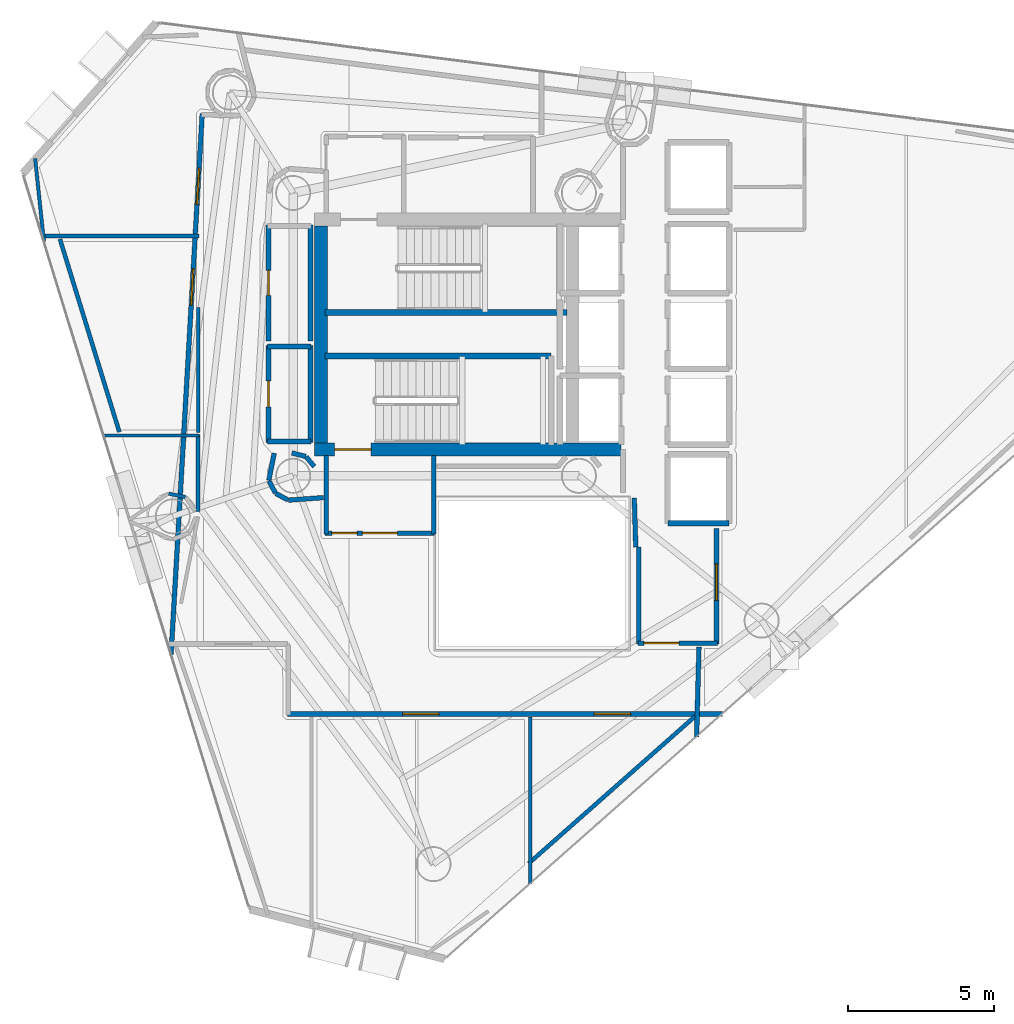
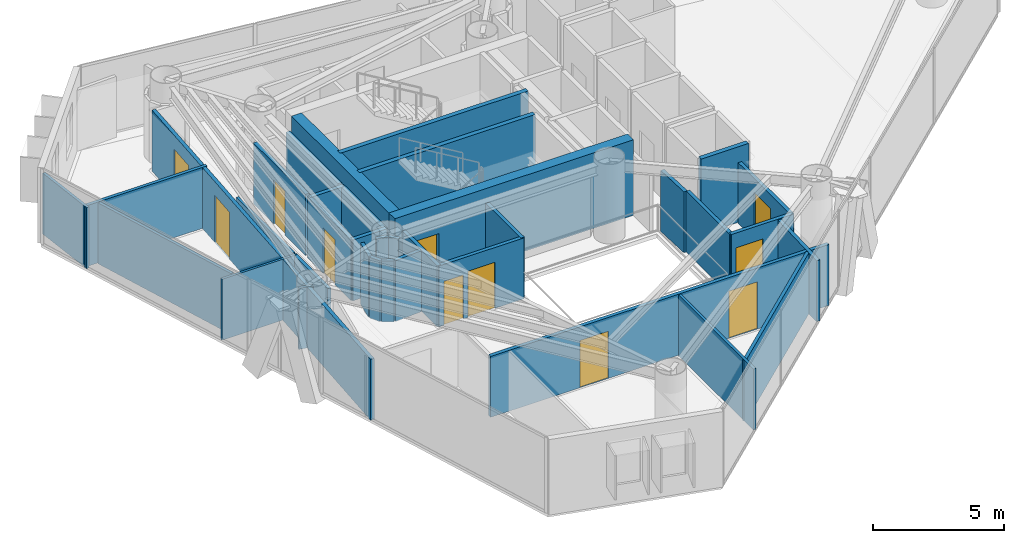
# One storey, part 18 of 23: 36 walls, 11 doors, 11 openings.
"""IFC4 building model written with IfcOpenShell, lengths in metres."""

from ifc_helpers import new_model, si_unit, direction, frame, frame_2d, origin, place, context, subcontext, project, spatial, rectangle, extrude, material, layer, layer_set, type_object, element, fill, save


model = new_model("IFC4")

# Units and contexts
model_context = context("Model", 3, precision=1e-05, world=origin(), true_north=direction((0.0, 1.0)))
body_context = subcontext(model_context, "Body", "Model", "MODEL_VIEW")
ifc_project = project(units=[si_unit("LENGTHUNIT", "METRE"), si_unit("AREAUNIT", "SQUARE_METRE"), si_unit("VOLUMEUNIT", "CUBIC_METRE"), si_unit("PLANEANGLEUNIT", "RADIAN"), si_unit("MASSUNIT", "GRAM", prefix="KILO")], contexts=[model_context])

# Site, building, storey
site_placement = place(None, origin())
site = spatial("IfcSite", under=ifc_project, at=site_placement, CompositionType="ELEMENT")
building_placement = place(site_placement, origin())
building = spatial("IfcBuilding", under=site, at=building_placement, Name="Qianvela Tower", CompositionType="ELEMENT")
storey_placement = place(building_placement, frame((0.0, 0.0, 218.800048828125)))
storey = spatial("IfcBuildingStorey", under=building, at=storey_placement, Name="L56", CompositionType="ELEMENT", Elevation=218.800048828125)

# Wall, opening, door
ifc_material_1 = material(Name="Concrete C50", Category="concrete")
ifc_layer_1 = layer(ifc_material_1, 0.449951171875)
ifc_layer_set_1 = layer_set([ifc_layer_1], Name="Concrete C50")
wall_type_1 = type_object("IfcWallType", Name="WT-CORE-450", PredefinedType="SHEAR", material=ifc_layer_set_1)
wall_1_placement = place(storey_placement, frame((29.330078125, 24.7548828125, 0.0), z_axis=(0.0, 0.0, 1.0), x_axis=(1.0, 0.0, 0.0)))
wall_1 = element("IfcWall", 1, at=wall_1_placement, inside=storey, type_object=wall_type_1, Name="L56 South Core Shear Wall", PredefinedType="SHEAR", context=body_context, shape_type="SweptSolid", body=[
    extrude(rectangle(XDim=10.52001953125, YDim=0.449951171875, at=frame_2d((5.260009765625, 0.0))), origin(), (0.0, 0.0, 1.0), 3.52001953125),
])
opening_1_placement = place(wall_1_placement, frame((0.695068359375, 0.0, 0.0)))
opening_1 = element("IfcOpeningElement", 2, at=opening_1_placement, cuts=wall_1, Name="Opening D-ST1", PredefinedType="OPENING", context=body_context, shape_type="SweptSolid", body=[
    extrude(rectangle(XDim=1.25, YDim=2.14990234375, at=frame_2d((0.625, 1.074951171875))), frame((0.0, 0.23486328125, 0.0), z_axis=(0.0, -1.0, 0.0), x_axis=(1.0, 0.0, 0.0)), (0.0, 0.0, 1.0), 0.469970703125),
])
ifc_material_2 = material(Name="Galvanised Fire Steel Q355B", Category="steel")
door_type_1 = type_object("IfcDoorType", Name="DT-STAIR-FD90", OperationType="NOTDEFINED", PredefinedType="DOOR", material=ifc_material_2)
door_1_placement = place(opening_1_placement, origin())
door_1 = element("IfcDoor", 3, at=door_1_placement, inside=storey, type_object=door_type_1, Name="L56 Stair ST-2 Exit Door", OperationType="SINGLE_SWING_RIGHT", OverallHeight=2.14990234375, OverallWidth=1.25, PredefinedType="DOOR", context=body_context, shape_type="SweptSolid", body=[
    extrude(rectangle(XDim=1.25, YDim=2.14990234375, at=frame_2d((0.625, 1.074951171875))), frame((0.0, 0.02490234375, 0.0), z_axis=(0.0, -1.0, 0.0), x_axis=(1.0, 0.0, 0.0)), (0.0, 0.0, 1.0), 0.050048828125),
])
fill(opening_1, door_1)

# Wall
wall_2_placement = place(storey_placement, frame((29.554931640625, 24.97998046875, 0.0), z_axis=(0.0, 0.0, 1.0), x_axis=(0.0, 1.0, 0.0)))
element("IfcWall", 4, at=wall_2_placement, inside=storey, type_object=wall_type_1, Name="L56 West Core Shear Wall", PredefinedType="SHEAR", context=body_context, shape_type="SweptSolid", body=[
    extrude(rectangle(XDim=7.43994140625, YDim=0.449951171875, at=frame_2d((3.719970703125, 0.0))), origin(), (0.0, 0.0, 1.0), 3.52001953125),
])

# Wall, openings, doors
ifc_material_3 = material(Name="Fire-Rated Gypsum and Concrete Block", Category="concrete")
ifc_layer_2 = layer(ifc_material_3, 0.159912109375)
ifc_layer_set_2 = layer_set([ifc_layer_2], Name="Fire-Rated Gypsum and Concrete Block")
wall_type_2 = type_object("IfcWallType", Name="WT-CORR-160", PredefinedType="PARTITIONING", material=ifc_layer_set_2)
wall_3_placement = place(storey_placement, frame((33.449951171875, 21.881103515625, 0.0), z_axis=(0.0, 0.0, 1.0), x_axis=(-1.0, 0.0, 0.0)))
wall_3 = element("IfcWall", 5, at=wall_3_placement, inside=storey, type_object=wall_type_2, Name="L56 Partition 5", PredefinedType="PARTITIONING", context=body_context, shape_type="SweptSolid", body=[
    extrude(rectangle(XDim=3.75, YDim=0.159912109375, at=frame_2d((1.875, 0.0))), origin(), (0.0, 0.0, 1.0), 2.83984375),
])
opening_2_placement = place(wall_3_placement, frame((1.27490234375, 0.0, 0.0)))
opening_2 = element("IfcOpeningElement", 6, at=opening_2_placement, cuts=wall_3, Name="Opening D-LB1", PredefinedType="OPENING", context=body_context, shape_type="SweptSolid", body=[
    extrude(rectangle(XDim=1.199951171875, YDim=2.14990234375, at=frame_2d((0.60009765625, 1.074951171875))), frame((0.0, 0.08984375, 0.0), z_axis=(0.0, -1.0, 0.0), x_axis=(1.0, 0.0, 0.0)), (0.0, 0.0, 1.0), 0.179931640625),
])
opening_3_placement = place(wall_3_placement, frame((2.659912109375, 0.0, 0.0)))
opening_3 = element("IfcOpeningElement", 7, at=opening_3_placement, cuts=wall_3, Name="Opening D-LB2", PredefinedType="OPENING", context=body_context, shape_type="SweptSolid", body=[
    extrude(rectangle(XDim=0.860107421875, YDim=2.050048828125, at=frame_2d((0.43017578125, 1.02490234375))), frame((0.0, 0.08984375, 0.0), z_axis=(0.0, -1.0, 0.0), x_axis=(1.0, 0.0, 0.0)), (0.0, 0.0, 1.0), 0.179931640625),
])
ifc_material_4 = material(Name="Glazed Fire-Rated Steel Frame", Category="steel")
door_type_2 = type_object("IfcDoorType", Name="DT-LOBBY-FD90", OperationType="NOTDEFINED", PredefinedType="DOOR", material=ifc_material_4)
door_2_placement = place(opening_2_placement, origin())
door_2 = element("IfcDoor", 8, at=door_2_placement, inside=storey, type_object=door_type_2, Name="L56 Door L56 Firefighting Lobby South to L56 Floor Corridor", OperationType="SINGLE_SWING_LEFT", OverallHeight=2.14990234375, OverallWidth=1.199951171875, PredefinedType="DOOR", context=body_context, shape_type="SweptSolid", body=[
    extrude(rectangle(XDim=1.199951171875, YDim=2.14990234375, at=frame_2d((0.60009765625, 1.074951171875))), frame((0.0, 0.02490234375, 0.0), z_axis=(0.0, -1.0, 0.0), x_axis=(1.0, 0.0, 0.0)), (0.0, 0.0, 1.0), 0.050048828125),
])
fill(opening_2, door_2)
ifc_material_5 = material(Name="Insulated Steel Fire Door Q355B", Category="steel")
door_type_3 = type_object("IfcDoorType", Name="DT-LOBBY-FD90-860", OperationType="NOTDEFINED", PredefinedType="DOOR", material=ifc_material_5)
door_3_placement = place(opening_3_placement, origin())
door_3 = element("IfcDoor", 9, at=door_3_placement, inside=storey, type_object=door_type_3, Name="L56 Door L56 Firefighting Lobby South to L56 Floor Corridor", OperationType="SINGLE_SWING_RIGHT", OverallHeight=2.050048828125, OverallWidth=0.860107421875, PredefinedType="DOOR", context=body_context, shape_type="SweptSolid", body=[
    extrude(rectangle(XDim=0.860107421875, YDim=2.050048828125, at=frame_2d((0.43017578125, 1.02490234375))), frame((0.0, 0.02490234375, 0.0), z_axis=(0.0, -1.0, 0.0), x_axis=(1.0, 0.0, 0.0)), (0.0, 0.0, 1.0), 0.050048828125),
])
fill(opening_3, door_3)

# Walls
for number, where, z_axis, x_axis, name in (
    (10, (29.73095703125, 21.85009765625, 0.0), (0.0, 0.0, 1.0), (0.0, 1.0, 0.0), "L56 Partition 6"),
    (11, (33.4189453125, 24.5419921875, 0.0), (0.0, 0.0, 1.0), (0.0, -1.0, 0.0), "L56 Partition 8"),
):
    element("IfcWall", number, at=place(storey_placement, frame(where, z_axis=z_axis, x_axis=x_axis)), inside=storey, type_object=wall_type_2, Name=name, PredefinedType="PARTITIONING", context=body_context, shape_type="SweptSolid", body=[
        extrude(rectangle(XDim=2.69189453125, YDim=0.159912109375, at=frame_2d((1.345947265625, 0.0))), origin(), (0.0, 0.0, 1.0), 2.83984375),
    ])
wall_4_placement = place(storey_placement, frame((40.35107421875, 21.40087890625, 0.0), z_axis=(0.0, 0.0, 1.0), x_axis=(-0.031058045979, 0.999517582527, 0.0)))
element("IfcWall", 12, at=wall_4_placement, inside=storey, type_object=wall_type_2, Name="L56 Partition 9", PredefinedType="PARTITIONING", context=body_context, shape_type="SweptSolid", body=[
    extrude(rectangle(XDim=1.68212890625, YDim=0.159912109375, at=frame_2d((0.841064453125, 0.0))), origin(), (0.0, 0.0, 1.0), 2.83984375),
])

# Wall, opening, door
wall_5_placement = place(storey_placement, frame((43.118896484375, 22.050048828125, 0.0), z_axis=(0.0, 0.0, 1.0), x_axis=(0.0, -1.0, 0.0)))
wall_5 = element("IfcWall", 13, at=wall_5_placement, inside=storey, type_object=wall_type_2, Name="L56 Partition 17", PredefinedType="PARTITIONING", context=body_context, shape_type="SweptSolid", body=[
    extrude(rectangle(XDim=3.969970703125, YDim=0.159912109375, at=frame_2d((1.98486328125, 0.0))), origin(), (0.0, 0.0, 1.0), 2.83984375),
])
opening_4_placement = place(wall_5_placement, frame((1.219970703125, 0.0, 0.0)))
opening_4 = element("IfcOpeningElement", 14, at=opening_4_placement, cuts=wall_5, Name="Opening D-LG1", PredefinedType="OPENING", context=body_context, shape_type="SweptSolid", body=[
    extrude(rectangle(XDim=1.25, YDim=2.199951171875, at=frame_2d((0.625, 1.10009765625))), frame((0.0, 0.08984375, 0.0), z_axis=(0.0, -1.0, 0.0), x_axis=(1.0, 0.0, 0.0)), (0.0, 0.0, 1.0), 0.179931640625),
])
ifc_material_6 = material(Name="Anodised Aluminium Acoustic Glass Door", Category="aluminium")
door_type_4 = type_object("IfcDoorType", Name="DT-LOUNGE-1250", OperationType="NOTDEFINED", PredefinedType="DOOR", material=ifc_material_6)
door_4_placement = place(opening_4_placement, origin())
door_4 = element("IfcDoor", 15, at=door_4_placement, inside=storey, type_object=door_type_4, Name="L56 Door Quiet Desk Workspace L56-03 to L56 Lift Lobby", OperationType="SINGLE_SWING_LEFT", OverallHeight=2.199951171875, OverallWidth=1.25, PredefinedType="DOOR", context=body_context, shape_type="SweptSolid", body=[
    extrude(rectangle(XDim=1.25, YDim=2.199951171875, at=frame_2d((0.625, 1.10009765625))), frame((0.0, 0.02490234375, 0.0), z_axis=(0.0, -1.0, 0.0), x_axis=(1.0, 0.0, 0.0)), (0.0, 0.0, 1.0), 0.050048828125),
])
fill(opening_4, door_4)

wall_6_placement = place(storey_placement, frame((43.14990234375, 18.111083984375, 0.0), z_axis=(0.0, 0.0, 1.0), x_axis=(-1.0, 0.0, 0.0)))
wall_6 = element("IfcWall", 16, at=wall_6_placement, inside=storey, type_object=wall_type_2, Name="L56 Partition 18", PredefinedType="PARTITIONING", context=body_context, shape_type="SweptSolid", body=[
    extrude(rectangle(XDim=2.72998046875, YDim=0.159912109375, at=frame_2d((1.364990234375, 0.0))), origin(), (0.0, 0.0, 1.0), 2.83984375),
])
opening_5_placement = place(wall_6_placement, frame((1.324951171875, 0.0, 0.0)))
opening_5 = element("IfcOpeningElement", 17, at=opening_5_placement, cuts=wall_6, Name="Opening D-LB1", PredefinedType="OPENING", context=body_context, shape_type="SweptSolid", body=[
    extrude(rectangle(XDim=1.199951171875, YDim=2.14990234375, at=frame_2d((0.60009765625, 1.074951171875))), frame((0.0, 0.08984375, 0.0), z_axis=(0.0, -1.0, 0.0), x_axis=(1.0, 0.0, 0.0)), (0.0, 0.0, 1.0), 0.179931640625),
])
door_5_placement = place(opening_5_placement, origin())
door_5 = element("IfcDoor", 18, at=door_5_placement, inside=storey, type_object=door_type_2, Name="L56 Door L56 Lift Lobby to L56 Floor Corridor", OperationType="SINGLE_SWING_RIGHT", OverallHeight=2.14990234375, OverallWidth=1.199951171875, PredefinedType="DOOR", context=body_context, shape_type="SweptSolid", body=[
    extrude(rectangle(XDim=1.199951171875, YDim=2.14990234375, at=frame_2d((0.60009765625, 1.074951171875))), frame((0.0, 0.02490234375, 0.0), z_axis=(0.0, -1.0, 0.0), x_axis=(1.0, 0.0, 0.0)), (0.0, 0.0, 1.0), 0.050048828125),
])
fill(opening_5, door_5)

# Walls
wall_7_placement = place(storey_placement, frame((40.450927734375, 18.080078125, 0.0), z_axis=(0.0, 0.0, 1.0), x_axis=(0.0, 1.0, 0.0)))
element("IfcWall", 19, at=wall_7_placement, inside=storey, type_object=wall_type_2, Name="L56 Partition 19 seg 1", PredefinedType="PARTITIONING", context=body_context, shape_type="SweptSolid", body=[
    extrude(rectangle(XDim=3.31982421875, YDim=0.159912109375, at=frame_2d((1.659912109375, 0.0))), origin(), (0.0, 0.0, 1.0), 2.83984375),
])
wall_8_placement = place(storey_placement, frame((29.321044921875, 24.169921875, 0.0), z_axis=(0.0, 0.0, 1.0), x_axis=(-0.638008265708, 0.770029514296, 0.0)))
element("IfcWall", 20, at=wall_8_placement, inside=storey, type_object=wall_type_2, Name="L56 Partition 36", PredefinedType="PARTITIONING", context=body_context, shape_type="SweptSolid", body=[
    extrude(rectangle(XDim=0.430908203125, YDim=0.159912109375, at=frame_2d((0.21533203125, 0.0))), origin(), (0.0, 0.0, 1.0), 2.83984375),
])
wall_9_placement = place(storey_placement, frame((29.030029296875, 24.511962890625, 0.0), z_axis=(0.0, 0.0, 1.0), x_axis=(-0.967681003213, 0.252177469296, 0.0)))
element("IfcWall", 21, at=wall_9_placement, inside=storey, type_object=wall_type_2, Name="L56 Partition 37", PredefinedType="PARTITIONING", context=body_context, shape_type="SweptSolid", body=[
    extrude(rectangle(XDim=0.488037109375, YDim=0.159912109375, at=frame_2d((0.244140625, 0.0))), origin(), (0.0, 0.0, 1.0), 2.83984375),
])
wall_10_placement = place(storey_placement, frame((27.950439453125, 24.626220703125, 0.0), z_axis=(0.0, 0.0, 1.0), x_axis=(-0.195125950178, -0.980778192848, 0.0)))
element("IfcWall", 22, at=wall_10_placement, inside=storey, type_object=wall_type_2, Name="L56 Partition 61", PredefinedType="PARTITIONING", context=body_context, shape_type="SweptSolid", body=[
    extrude(rectangle(XDim=0.948486328125, YDim=0.159912109375, at=frame_2d((0.47412109375, 0.0))), origin(), (0.0, 0.0, 1.0), 2.83984375),
])
for number, where, z_axis, x_axis, name in (
    (23, (27.768310546875, 23.67529296875, 0.0), (0.0, 0.0, 1.0), (0.471865548338, -0.881670519123, 0.0), "L56 Partition 62"),
    (24, (28.005615234375, 23.242919921875, 0.0), (0.0, 0.0, 1.0), (0.881670519123, -0.471865548338, 0.0), "L56 Partition 63"),
):
    element("IfcWall", number, at=place(storey_placement, frame(where, z_axis=z_axis, x_axis=x_axis)), inside=storey, type_object=wall_type_2, Name=name, PredefinedType="PARTITIONING", context=body_context, shape_type="SweptSolid", body=[
        extrude(rectangle(XDim=0.47607421875, YDim=0.159912109375, at=frame_2d((0.238037109375, 0.0))), origin(), (0.0, 0.0, 1.0), 2.83984375),
    ])
wall_11_placement = place(storey_placement, frame((28.4423828125, 23.014892578125, 0.0), z_axis=(0.0, 0.0, 1.0), x_axis=(0.99740683837, 0.07196942943, 0.0)))
element("IfcWall", 25, at=wall_11_placement, inside=storey, type_object=wall_type_2, Name="L56 Partition 64", PredefinedType="PARTITIONING", context=body_context, shape_type="SweptSolid", body=[
    extrude(rectangle(XDim=1.200927734375, YDim=0.159912109375, at=frame_2d((0.6005859375, 0.0))), origin(), (0.0, 0.0, 1.0), 2.83984375),
])
wall_12_placement = place(storey_placement, frame((42.51904296875, 17.980712890625, 0.0), z_axis=(0.0, 0.0, 1.0), x_axis=(-0.026620353414, -0.999645615598, 0.0)))
element("IfcWall", 26, at=wall_12_placement, inside=storey, type_object=wall_type_2, Name="L56 Partition 68", PredefinedType="PARTITIONING", context=body_context, shape_type="SweptSolid", body=[
    extrude(rectangle(XDim=3.090576171875, YDim=0.159912109375, at=frame_2d((1.54541015625, 0.0))), origin(), (0.0, 0.0, 1.0), 2.83984375),
])

# Wall, openings, doors
wall_13_placement = place(storey_placement, frame((43.328125, 15.680908203125, 0.0), z_axis=(0.0, 0.0, 1.0), x_axis=(-1.0, 0.0, 0.0)))
wall_13 = element("IfcWall", 27, at=wall_13_placement, inside=storey, type_object=wall_type_2, Name="L56 Partition 69", PredefinedType="PARTITIONING", context=body_context, shape_type="SweptSolid", body=[
    extrude(rectangle(XDim=14.92822265625, YDim=0.159912109375, at=frame_2d((7.464111328125, 0.0))), origin(), (0.0, 0.0, 1.0), 2.83984375),
])
opening_6_placement = place(wall_13_placement, frame((3.15673828125, 0.0, 0.0)))
opening_6 = element("IfcOpeningElement", 28, at=opening_6_placement, cuts=wall_13, Name="Opening D-LG1", PredefinedType="OPENING", context=body_context, shape_type="SweptSolid", body=[
    extrude(rectangle(XDim=1.25, YDim=2.199951171875, at=frame_2d((0.625, 1.10009765625))), frame((0.0, 0.08984375, 0.0), z_axis=(0.0, -1.0, 0.0), x_axis=(1.0, 0.0, 0.0)), (0.0, 0.0, 1.0), 0.179931640625),
])
opening_7_placement = place(wall_13_placement, frame((9.7265625, 0.0, 0.0)))
opening_7 = element("IfcOpeningElement", 29, at=opening_7_placement, cuts=wall_13, Name="Opening D-LG1", PredefinedType="OPENING", context=body_context, shape_type="SweptSolid", body=[
    extrude(rectangle(XDim=1.25, YDim=2.199951171875, at=frame_2d((0.625, 1.10009765625))), frame((0.0, 0.08984375, 0.0), z_axis=(0.0, -1.0, 0.0), x_axis=(1.0, 0.0, 0.0)), (0.0, 0.0, 1.0), 0.179931640625),
])
door_6_placement = place(opening_6_placement, origin())
door_6 = element("IfcDoor", 30, at=door_6_placement, inside=storey, type_object=door_type_4, Name="L56 Door Collaborative Co-working Office L56-02 to L56 Floor Corridor", OperationType="SINGLE_SWING_RIGHT", OverallHeight=2.199951171875, OverallWidth=1.25, PredefinedType="DOOR", context=body_context, shape_type="SweptSolid", body=[
    extrude(rectangle(XDim=1.25, YDim=2.199951171875, at=frame_2d((0.625, 1.10009765625))), frame((0.0, 0.02490234375, 0.0), z_axis=(0.0, -1.0, 0.0), x_axis=(1.0, 0.0, 0.0)), (0.0, 0.0, 1.0), 0.050048828125),
])
fill(opening_6, door_6)
door_7_placement = place(opening_7_placement, origin())
door_7 = element("IfcDoor", 31, at=door_7_placement, inside=storey, type_object=door_type_4, Name="L56 Door Quiet Reading Study L56-07 to L56 Floor Corridor", OperationType="SINGLE_SWING_RIGHT", OverallHeight=2.199951171875, OverallWidth=1.25, PredefinedType="DOOR", context=body_context, shape_type="SweptSolid", body=[
    extrude(rectangle(XDim=1.25, YDim=2.199951171875, at=frame_2d((0.625, 1.10009765625))), frame((0.0, 0.02490234375, 0.0), z_axis=(0.0, -1.0, 0.0), x_axis=(1.0, 0.0, 0.0)), (0.0, 0.0, 1.0), 0.050048828125),
])
fill(opening_7, door_7)

wall_14_placement = place(storey_placement, frame((24.41259765625, 17.720947265625, 0.0), z_axis=(0.0, 0.0, 1.0), x_axis=(0.057505607696, 0.998345183333, 0.0)))
wall_14 = element("IfcWall", 32, at=wall_14_placement, inside=storey, type_object=wall_type_2, Name="L56 Partition 72", PredefinedType="PARTITIONING", context=body_context, shape_type="SweptSolid", body=[
    extrude(rectangle(XDim=18.578369140625, YDim=0.159912109375, at=frame_2d((9.2890625, 0.0))), origin(), (0.0, 0.0, 1.0), 2.83984375),
])
opening_8_placement = place(wall_14_placement, frame((15.4609375, 0.0, 0.0)))
opening_8 = element("IfcOpeningElement", 33, at=opening_8_placement, cuts=wall_14, Name="Opening D-LG1", PredefinedType="OPENING", context=body_context, shape_type="SweptSolid", body=[
    extrude(rectangle(XDim=1.25, YDim=2.199951171875, at=frame_2d((0.625, 1.10009765625))), frame((0.0, 0.08984375, 0.0), z_axis=(0.0, -1.0, 0.0), x_axis=(1.0, 0.0, 0.0)), (0.0, 0.0, 1.0), 0.179931640625),
])
opening_9_placement = place(wall_14_placement, frame((12.002197265625, 0.0, 0.0)))
opening_9 = element("IfcOpeningElement", 34, at=opening_9_placement, cuts=wall_14, Name="Opening D-LG1", PredefinedType="OPENING", context=body_context, shape_type="SweptSolid", body=[
    extrude(rectangle(XDim=1.25, YDim=2.199951171875, at=frame_2d((0.625, 1.10009765625))), frame((0.0, 0.08984375, 0.0), z_axis=(0.0, -1.0, 0.0), x_axis=(1.0, 0.0, 0.0)), (0.0, 0.0, 1.0), 0.179931640625),
])
door_8_placement = place(opening_8_placement, origin())
door_8 = element("IfcDoor", 35, at=door_8_placement, inside=storey, type_object=door_type_4, Name="L56 Door Digital Research Office L56-05 to L56 Floor Corridor", OperationType="SINGLE_SWING_RIGHT", OverallHeight=2.199951171875, OverallWidth=1.25, PredefinedType="DOOR", context=body_context, shape_type="SweptSolid", body=[
    extrude(rectangle(XDim=1.25, YDim=2.199951171875, at=frame_2d((0.625, 1.10009765625))), frame((0.0, 0.02490234375, 0.0), z_axis=(0.0, -1.0, 0.0), x_axis=(1.0, 0.0, 0.0)), (0.0, 0.0, 1.0), 0.050048828125),
])
fill(opening_8, door_8)
door_9_placement = place(opening_9_placement, origin())
door_9 = element("IfcDoor", 36, at=door_9_placement, inside=storey, type_object=door_type_4, Name="L56 Door Collaborative Co-working Office L56-06 to L56 Floor Corridor", OperationType="SINGLE_SWING_LEFT", OverallHeight=2.199951171875, OverallWidth=1.25, PredefinedType="DOOR", context=body_context, shape_type="SweptSolid", body=[
    extrude(rectangle(XDim=1.25, YDim=2.199951171875, at=frame_2d((0.625, 1.10009765625))), frame((0.0, 0.02490234375, 0.0), z_axis=(0.0, -1.0, 0.0), x_axis=(1.0, 0.0, 0.0)), (0.0, 0.0, 1.0), 0.050048828125),
])
fill(opening_9, door_9)

# Walls
ifc_material_7 = material(Name="Lightweight Gypsum Room Partition")
ifc_layer_3 = layer(ifc_material_7, 0.10498046875)
ifc_layer_set_3 = layer_set([ifc_layer_3], Name="Lightweight Gypsum Room Partition")
wall_type_3 = type_object("IfcWallType", Name="WT-PART-105", PredefinedType="PARTITIONING", material=ifc_layer_set_3)
wall_15_placement = place(storey_placement, frame((22.080322265625, 25.22705078125, 0.0), z_axis=(0.0, 0.0, 1.0), x_axis=(1.0, 0.0, 0.0)))
element("IfcWall", 37, at=wall_15_placement, inside=storey, type_object=wall_type_3, Name="L56 Partition 89", PredefinedType="PARTITIONING", context=body_context, shape_type="SweptSolid", body=[
    extrude(rectangle(XDim=3.289794921875, YDim=0.10498046875, at=frame_2d((1.64501953125, 0.0))), origin(), (0.0, 0.0, 1.0), 2.83984375),
])
ifc_material_8 = material(Name="Insulated Gypsum Stud Partition")
ifc_layer_4 = layer(ifc_material_8, 0.1201171875)
ifc_layer_set_4 = layer_set([ifc_layer_4], Name="Insulated Gypsum Stud Partition")
wall_type_4 = type_object("IfcWallType", Name="WT-PART-120", PredefinedType="PARTITIONING", material=ifc_layer_set_4)
wall_16_placement = place(storey_placement, frame((24.900390625, 23.122314453125, 0.0), z_axis=(0.0, 0.0, 1.0), x_axis=(-0.980773892286, 0.195147565217, 0.0)))
element("IfcWall", 38, at=wall_16_placement, inside=storey, type_object=wall_type_4, Name="L56 Partition 76", PredefinedType="PARTITIONING", context=body_context, shape_type="SweptSolid", body=[
    extrude(rectangle(XDim=0.581787109375, YDim=0.1201171875, at=frame_2d((0.291015625, 0.0))), origin(), (0.0, 0.0, 1.0), 2.83984375),
])
wall_17_placement = place(storey_placement, frame((36.72607421875, 9.84326171875, 0.0), z_axis=(0.0, 0.0, 1.0), x_axis=(0.0, 1.0, 0.0)))
element("IfcWall", 39, at=wall_17_placement, inside=storey, type_object=wall_type_4, Name="L56 Partition 91", PredefinedType="PARTITIONING", context=body_context, shape_type="SweptSolid", body=[
    extrude(rectangle(XDim=5.726806640625, YDim=0.1201171875, at=frame_2d((2.86328125, 0.0))), origin(), (0.0, 0.0, 1.0), 2.83984375),
])
wall_18_placement = place(storey_placement, frame((20.04833984375, 31.888916015625, 0.0), z_axis=(0.0, 0.0, 1.0), x_axis=(-0.104435651057, 0.994531645946, 0.0)))
element("IfcWall", 40, at=wall_18_placement, inside=storey, type_object=wall_type_4, Name="L56 Partition 139", PredefinedType="PARTITIONING", context=body_context, shape_type="SweptSolid", body=[
    extrude(rectangle(XDim=2.856689453125, YDim=0.1201171875, at=frame_2d((1.42822265625, 0.0))), origin(), (0.0, 0.0, 1.0), 2.83984375),
])
wall_19_placement = place(storey_placement, frame((25.339111328125, 29.630615234375, 0.0), z_axis=(0.0, 0.0, 1.0), x_axis=(0.0, -1.0, 0.0)))
element("IfcWall", 41, at=wall_19_placement, inside=storey, type_object=wall_type_4, Name="L56 Partition 142 seg 1", PredefinedType="PARTITIONING", context=body_context, shape_type="SweptSolid", body=[
    extrude(rectangle(XDim=4.28857421875, YDim=0.1201171875, at=frame_2d((2.144287109375, 0.0))), origin(), (0.0, 0.0, 1.0), 2.83984375),
])

# Wall, opening, door
ifc_material_9 = material(Name="Moisture-Resistant Acoustic Plumbing Wall")
ifc_layer_5 = layer(ifc_material_9, 0.175048828125)
ifc_layer_set_5 = layer_set([ifc_layer_5], Name="Moisture-Resistant Acoustic Plumbing Wall")
wall_type_5 = type_object("IfcWallType", Name="WT-PLUMB-175", PredefinedType="PLUMBINGWALL", material=ifc_layer_set_5)
wall_20_placement = place(storey_placement, frame((27.7509765625, 25.0, 0.0), z_axis=(0.0, 0.0, 1.0), x_axis=(0.0, 1.0, 0.0)))
wall_20 = element("IfcWall", 42, at=wall_20_placement, inside=storey, type_object=wall_type_5, Name="L56 Partition 24", PredefinedType="PLUMBINGWALL", context=body_context, shape_type="SweptSolid", body=[
    extrude(rectangle(XDim=3.320068359375, YDim=0.175048828125, at=frame_2d((1.66015625, 0.0))), origin(), (0.0, 0.0, 1.0), 2.83984375),
])
opening_10_placement = place(wall_20_placement, frame((1.2099609375, 0.0, 0.0)))
opening_10 = element("IfcOpeningElement", 43, at=opening_10_placement, cuts=wall_20, Name="Opening D-KT1", PredefinedType="OPENING", context=body_context, shape_type="SweptSolid", body=[
    extrude(rectangle(XDim=0.89990234375, YDim=2.10009765625, at=frame_2d((0.449951171875, 1.050048828125))), frame((0.0, 0.097412109375, 0.0), z_axis=(0.0, -1.0, 0.0), x_axis=(1.0, 0.0, 0.0)), (0.0, 0.0, 1.0), 0.195068359375),
])
ifc_material_10 = material(Name="Glazed Timber Kitchen Door", Category="wood")
door_type_5 = type_object("IfcDoorType", Name="DT-KITCH-900", OperationType="NOTDEFINED", PredefinedType="DOOR", material=ifc_material_10)
door_10_placement = place(opening_10_placement, origin())
door_10 = element("IfcDoor", 44, at=door_10_placement, inside=storey, type_object=door_type_5, Name="L56 Door L56 Core Tea Pantry West to L56 Floor Corridor", OperationType="SINGLE_SWING_RIGHT", OverallHeight=2.10009765625, OverallWidth=0.89990234375, PredefinedType="DOOR", context=body_context, shape_type="SweptSolid", body=[
    extrude(rectangle(XDim=0.89990234375, YDim=2.10009765625, at=frame_2d((0.449951171875, 1.050048828125))), frame((0.0, 0.02490234375, 0.0), z_axis=(0.0, -1.0, 0.0), x_axis=(1.0, 0.0, 0.0)), (0.0, 0.0, 1.0), 0.050048828125),
])
fill(opening_10, door_10)

# Walls
wall_21_placement = place(storey_placement, frame((27.719970703125, 28.2890625, 0.0), z_axis=(0.0, 0.0, 1.0), x_axis=(1.0, 0.0, 0.0)))
element("IfcWall", 45, at=wall_21_placement, inside=storey, type_object=wall_type_5, Name="L56 Partition 25", PredefinedType="PLUMBINGWALL", context=body_context, shape_type="SweptSolid", body=[
    extrude(rectangle(XDim=1.5, YDim=0.175048828125, at=frame_2d((0.75, 0.0))), origin(), (0.0, 0.0, 1.0), 2.83984375),
])
wall_22_placement = place(storey_placement, frame((29.18896484375, 28.320068359375, 0.0), z_axis=(0.0, 0.0, 1.0), x_axis=(0.0, -1.0, 0.0)))
element("IfcWall", 46, at=wall_22_placement, inside=storey, type_object=wall_type_5, Name="L56 Partition 26", PredefinedType="PLUMBINGWALL", context=body_context, shape_type="SweptSolid", body=[
    extrude(rectangle(XDim=3.320068359375, YDim=0.175048828125, at=frame_2d((1.66015625, 0.0))), origin(), (0.0, 0.0, 1.0), 2.83984375),
])
wall_23_placement = place(storey_placement, frame((29.219970703125, 25.031005859375, 0.0), z_axis=(0.0, 0.0, 1.0), x_axis=(-1.0, 0.0, 0.0)))
element("IfcWall", 47, at=wall_23_placement, inside=storey, type_object=wall_type_5, Name="L56 Partition 27", PredefinedType="PLUMBINGWALL", context=body_context, shape_type="SweptSolid", body=[
    extrude(rectangle(XDim=1.5, YDim=0.175048828125, at=frame_2d((0.75, 0.0))), origin(), (0.0, 0.0, 1.0), 2.83984375),
])

# Wall, opening, door
wall_24_placement = place(storey_placement, frame((27.7509765625, 28.47998046875, 0.0), z_axis=(0.0, 0.0, 1.0), x_axis=(0.0, 1.0, 0.0)))
wall_24 = element("IfcWall", 48, at=wall_24_placement, inside=storey, type_object=wall_type_5, Name="L56 Partition 28", PredefinedType="PLUMBINGWALL", context=body_context, shape_type="SweptSolid", body=[
    extrude(rectangle(XDim=3.969970703125, YDim=0.175048828125, at=frame_2d((1.98486328125, 0.0))), origin(), (0.0, 0.0, 1.0), 2.83984375),
])
opening_11_placement = place(wall_24_placement, frame((1.554931640625, 0.0, 0.0)))
opening_11 = element("IfcOpeningElement", 49, at=opening_11_placement, cuts=wall_24, Name="Opening D-WC1", PredefinedType="OPENING", context=body_context, shape_type="SweptSolid", body=[
    extrude(rectangle(XDim=0.860107421875, YDim=2.050048828125, at=frame_2d((0.43017578125, 1.02490234375))), frame((0.0, 0.097412109375, 0.0), z_axis=(0.0, -1.0, 0.0), x_axis=(1.0, 0.0, 0.0)), (0.0, 0.0, 1.0), 0.195068359375),
])
ifc_material_11 = material(Name="Moisture-Sealed Acoustic Timber Door", Category="wood")
door_type_6 = type_object("IfcDoorType", Name="DT-WC-860", OperationType="NOTDEFINED", PredefinedType="DOOR", material=ifc_material_11)
door_11_placement = place(opening_11_placement, origin())
door_11 = element("IfcDoor", 50, at=door_11_placement, inside=storey, type_object=door_type_6, Name="L56 Door L56 Accessible WC to L56 Floor Corridor", OperationType="SINGLE_SWING_LEFT", OverallHeight=2.050048828125, OverallWidth=0.860107421875, PredefinedType="DOOR", context=body_context, shape_type="SweptSolid", body=[
    extrude(rectangle(XDim=0.860107421875, YDim=2.050048828125, at=frame_2d((0.43017578125, 1.02490234375))), frame((0.0, 0.02490234375, 0.0), z_axis=(0.0, -1.0, 0.0), x_axis=(1.0, 0.0, 0.0)), (0.0, 0.0, 1.0), 0.050048828125),
])
fill(opening_11, door_11)

# Walls
wall_25_placement = place(storey_placement, frame((29.18896484375, 32.449951171875, 0.0), z_axis=(0.0, 0.0, 1.0), x_axis=(0.0, -1.0, 0.0)))
element("IfcWall", 51, at=wall_25_placement, inside=storey, type_object=wall_type_5, Name="L56 Partition 30", PredefinedType="PLUMBINGWALL", context=body_context, shape_type="SweptSolid", body=[
    extrude(rectangle(XDim=3.969970703125, YDim=0.175048828125, at=frame_2d((1.98486328125, 0.0))), origin(), (0.0, 0.0, 1.0), 2.83984375),
])
ifc_material_12 = material(Name="Acoustic Double Gypsum Stud Partition")
ifc_layer_6 = layer(ifc_material_12, 0.139892578125)
ifc_layer_set_6 = layer_set([ifc_layer_6], Name="Acoustic Double Gypsum Stud Partition")
wall_type_6 = type_object("IfcWallType", Name="WT-ROOM-140", PredefinedType="PARTITIONING", material=ifc_layer_set_6)
wall_26_placement = place(storey_placement, frame((25.339111328125, 25.258056640625, 0.0), z_axis=(0.0, 0.0, 1.0), x_axis=(0.00083495657, -0.999999651424, 0.0)))
element("IfcWall", 52, at=wall_26_placement, inside=storey, type_object=wall_type_6, Name="L56 Partition 90", PredefinedType="PARTITIONING", context=body_context, shape_type="SweptSolid", body=[
    extrude(rectangle(XDim=2.631591796875, YDim=0.139892578125, at=frame_2d((1.31591796875, 0.0))), origin(), (0.0, 0.0, 1.0), 2.83984375),
])
wall_27_placement = place(storey_placement, frame((42.376708984375, 15.59326171875, 0.0), z_axis=(0.0, 0.0, 1.0), x_axis=(-0.749252451683, -0.662284503553, 0.0)))
element("IfcWall", 53, at=wall_27_placement, inside=storey, type_object=wall_type_6, Name="L56 Partition 93", PredefinedType="PARTITIONING", context=body_context, shape_type="SweptSolid", body=[
    extrude(rectangle(XDim=7.6103515625, YDim=0.139892578125, at=frame_2d((3.80517578125, 0.0))), origin(), (0.0, 0.0, 1.0), 2.83984375),
])
wall_28_placement = place(storey_placement, frame((25.3701171875, 32.072998046875, 0.0), z_axis=(0.0, 0.0, 1.0), x_axis=(-1.0, 0.0, 0.0)))
element("IfcWall", 54, at=wall_28_placement, inside=storey, type_object=wall_type_6, Name="L56 Partition 138", PredefinedType="PARTITIONING", context=body_context, shape_type="SweptSolid", body=[
    extrude(rectangle(XDim=5.3984375, YDim=0.139892578125, at=frame_2d((2.69921875, 0.0))), origin(), (0.0, 0.0, 1.0), 2.83984375),
])
wall_29_placement = place(storey_placement, frame((22.638671875, 25.35107421875, 0.0), z_axis=(0.0, 0.0, 1.0), x_axis=(-0.29437082852, 0.955691276154, 0.0)))
element("IfcWall", 55, at=wall_29_placement, inside=storey, type_object=wall_type_6, Name="L56 Partition 144", PredefinedType="PARTITIONING", context=body_context, shape_type="SweptSolid", body=[
    extrude(rectangle(XDim=6.922607421875, YDim=0.139892578125, at=frame_2d((3.46142578125, 0.0))), origin(), (0.0, 0.0, 1.0), 2.83984375),
])
ifc_material_13 = material(Name="Concrete C50", Category="concrete")
ifc_layer_7 = layer(ifc_material_13, 0.199951171875)
ifc_layer_set_7 = layer_set([ifc_layer_7], Name="Concrete C50")
wall_type_7 = type_object("IfcWallType", Name="WT-SHAFT-200", PredefinedType="SOLIDWALL", material=ifc_layer_set_7)
wall_30_placement = place(storey_placement, frame((29.699951171875, 29.449951171875, 0.0), z_axis=(0.0, 0.0, 1.0), x_axis=(1.0, 0.0, 0.0)))
element("IfcWall", 56, at=wall_30_placement, inside=storey, type_object=wall_type_7, Name="L56 Stair ST-1 South Wall", PredefinedType="SOLIDWALL", context=body_context, shape_type="SweptSolid", body=[
    extrude(rectangle(XDim=8.300048828125, YDim=0.199951171875, at=frame_2d((4.14990234375, 0.0))), origin(), (0.0, 0.0, 1.0), 3.52001953125),
])
wall_31_placement = place(storey_placement, frame((29.699951171875, 27.9599609375, 0.0), z_axis=(0.0, 0.0, 1.0), x_axis=(1.0, 0.0, 0.0)))
element("IfcWall", 57, at=wall_31_placement, inside=storey, type_object=wall_type_7, Name="L56 Stair ST-2 North Wall", PredefinedType="SOLIDWALL", context=body_context, shape_type="SweptSolid", body=[
    extrude(rectangle(XDim=7.75, YDim=0.199951171875, at=frame_2d((3.875, 0.0))), origin(), (0.0, 0.0, 1.0), 3.52001953125),
])
wall_32_placement = place(storey_placement, frame((41.449951171875, 22.219970703125, 0.0), z_axis=(0.0, 0.0, 1.0), x_axis=(1.0, 0.0, 0.0)))
element("IfcWall", 58, at=wall_32_placement, inside=storey, type_object=wall_type_7, Name="L56 Lift PL-H2 S Shaft Wall", PredefinedType="SOLIDWALL", context=body_context, shape_type="SweptSolid", body=[
    extrude(rectangle(XDim=2.10009765625, YDim=0.199951171875, at=frame_2d((1.050048828125, 0.0))), origin(), (0.0, 0.0, 1.0), 3.52001953125),
])

save(model, "model.ifc")
